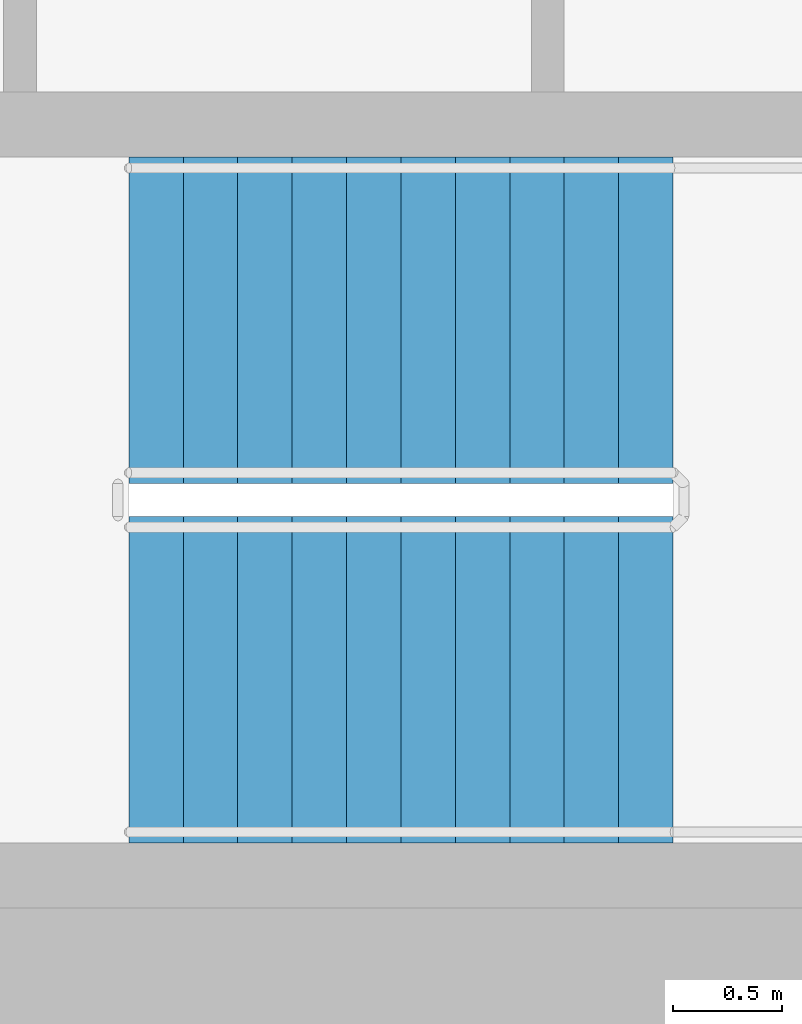
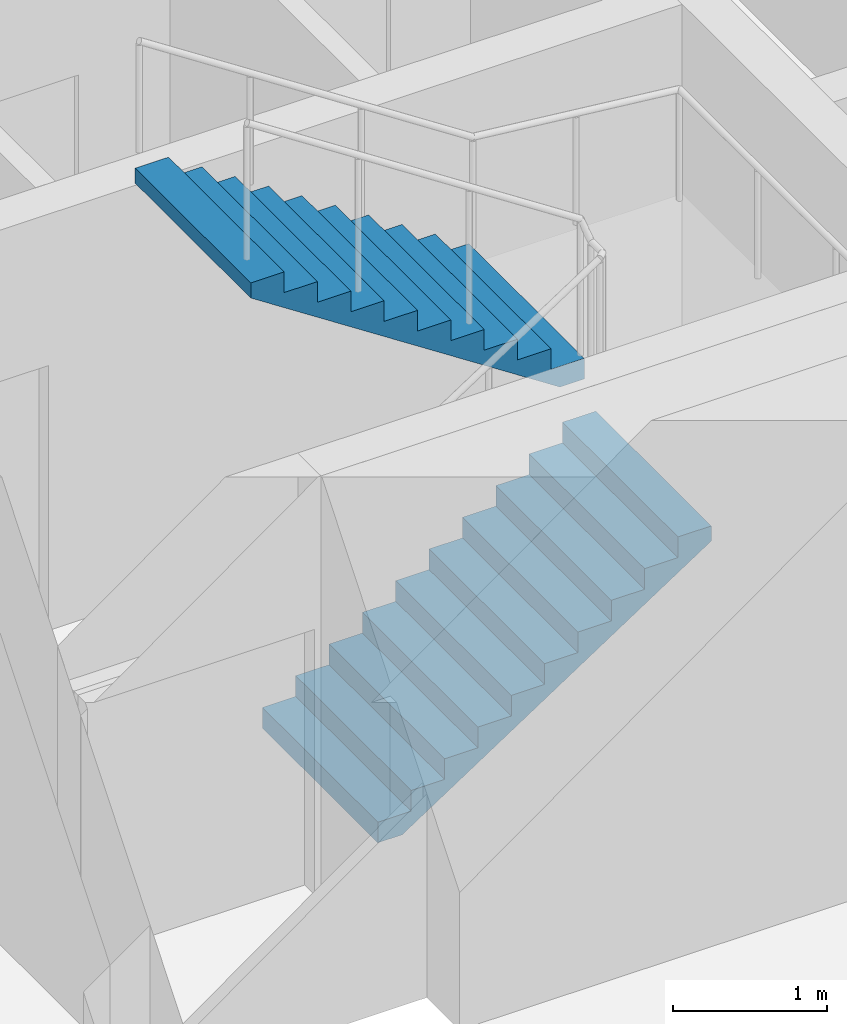
# One storey, part 8 of 9: 2 stair flights, 1 element without a shape of its own.
"""IFC4 building model written with IfcOpenShell, lengths in metres."""

from ifc_helpers import new_model, si_unit, direction, frame, origin, place, context, subcontext, project, spatial, polyline, outline, extrude, material, type_object, element, aggregate, save


model = new_model("IFC4")

# Units and contexts
model_context = context("Model", 3, precision=1e-05, world=origin(), true_north=direction((0.0, 1.0)))
body_context = subcontext(model_context, "Body", "Model", "MODEL_VIEW")
ifc_project = project(units=[si_unit("LENGTHUNIT", "METRE"), si_unit("AREAUNIT", "SQUARE_METRE"), si_unit("VOLUMEUNIT", "CUBIC_METRE"), si_unit("PLANEANGLEUNIT", "RADIAN"), si_unit("MASSUNIT", "GRAM", prefix="KILO")], contexts=[model_context])

# Site, building, storey
site_placement = place(None, origin())
site = spatial("IfcSite", under=ifc_project, at=site_placement, CompositionType="ELEMENT")
building_placement = place(site_placement, origin())
building = spatial("IfcBuilding", under=site, at=building_placement, Name="Tracery Tower", CompositionType="ELEMENT")
storey_placement = place(building_placement, frame((0.0, 0.0, 147.60009765625)))
storey = spatial("IfcBuildingStorey", under=building, at=storey_placement, Name="L37", CompositionType="ELEMENT", Elevation=147.60009765625)

# Stair, stair flights
ifc_material_1 = material(Name="Concrete C32/40", Category="concrete")
stair_type = type_object("IfcStairType", Name="Core stair 22 risers", PredefinedType="HALF_TURN_STAIR", material=ifc_material_1)
stair_placement = place(storey_placement, origin())
stair = element("IfcStair", 1, at=stair_placement, inside=storey, type_object=stair_type, Name="L37 stair ST2", PredefinedType="HALF_TURN_STAIR")
ifc_material_2 = material(Name="Concrete C32/40", Category="concrete")
stair_flight_type = type_object("IfcStairFlightType", Name="Core stair flight 11 risers", PredefinedType="STRAIGHT", material=ifc_material_2)
stair_flight_1_placement = place(storey_placement, frame((4.800048828125, -5.64990234375, 0.0), z_axis=(0.0, 0.0, 1.0), x_axis=(1.0, 0.0, 0.0)))
stair_flight_1 = element("IfcStairFlight", 2, at=stair_flight_1_placement, type_object=stair_flight_type, Name="ST2 flight 1", NumberOfRisers=11, NumberOfTreads=10, PredefinedType="STRAIGHT", RiserHeight=0.163636364, TreadLength=0.25, context=body_context, shape_type="SweptSolid", body=[
    extrude(outline(polyline([(0.0, 0.0), (0.0, 0.002685546875), (0.0, 0.00537109375), (0.0, 0.008056640625), (0.0, 0.0107421875), (0.0, 0.013427734375), (0.0, 0.01611328125), (0.0, 0.018798828125), (0.0, 0.021484375), (0.0, 0.024169921875), (0.0, 0.02685546875), (0.0, 0.029541015625), (0.0, 0.0322265625), (0.0, 0.034912109375), (0.0, 0.03759765625), (0.0, 0.040283203125), (0.0, 0.04296875), (0.0, 0.045654296875), (0.0, 0.04833984375), (0.0, 0.051025390625), (0.0, 0.0537109375), (0.0, 0.056396484375), (0.0, 0.05908203125), (0.0, 0.061767578125), (0.0, 0.064453125), (0.0, 0.067138671875), (0.0, 0.06982421875), (0.0, 0.072509765625), (0.0, 0.0751953125), (0.0, 0.077880859375), (0.0, 0.08056640625), (0.0, 0.083251953125), (0.0, 0.0859375), (0.0, 0.088623046875), (0.0, 0.09130859375), (0.0, 0.093994140625), (0.0, 0.0966796875), (0.0, 0.099365234375), (0.0, 0.10205078125), (0.0, 0.104736328125), (0.0, 0.107421875), (0.0, 0.10986328125), (0.0, 0.112548828125), (0.0, 0.115234375), (0.0, 0.117919921875), (0.0, 0.12060546875), (0.0, 0.123291015625), (0.0, 0.1259765625), (0.0, 0.128662109375), (0.0, 0.13134765625), (0.0, 0.134033203125), (0.0, 0.13671875), (0.0, 0.139404296875), (0.0, 0.14208984375), (0.0, 0.144775390625), (0.0, 0.1474609375), (0.0, 0.150146484375), (0.0, 0.15283203125), (0.0, 0.155517578125), (0.0, 0.158203125), (0.0, 0.160888671875), (0.0, 0.16357421875), (0.25, 0.16357421875), (0.25, 0.327392578125), (0.5, 0.327392578125), (0.5, 0.490966796875), (0.75, 0.490966796875), (0.75, 0.654541015625), (1.0, 0.654541015625), (1.0, 0.818115234375), (1.25, 0.818115234375), (1.25, 0.98193359375), (1.5, 0.98193359375), (1.5, 1.1455078125), (1.75, 1.1455078125), (1.75, 1.30908203125), (2.0, 1.30908203125), (2.0, 1.47265625), (2.25, 1.47265625), (2.25, 1.636474609375), (2.5, 1.636474609375), (2.5, 1.634521484375), (2.5, 1.63232421875), (2.5, 1.63037109375), (2.5, 1.62841796875), (2.5, 1.62646484375), (2.5, 1.62451171875), (2.5, 1.62255859375), (2.5, 1.62060546875), (2.5, 1.61865234375), (2.5, 1.61669921875), (2.5, 1.61474609375), (2.5, 1.61279296875), (2.5, 1.61083984375), (2.5, 1.60888671875), (2.5, 1.60693359375), (2.5, 1.60498046875), (2.5, 1.60302734375), (2.5, 1.60107421875), (2.5, 1.59912109375), (2.5, 1.59716796875), (2.5, 1.59521484375), (2.5, 1.59326171875), (2.5, 1.59130859375), (2.5, 1.58935546875), (2.5, 1.58740234375), (2.5, 1.58544921875), (2.5, 1.58349609375), (2.5, 1.58154296875), (2.5, 1.57958984375), (2.5, 1.57763671875), (2.5, 1.57568359375), (2.5, 1.573486328125), (2.5, 1.571533203125), (2.5, 1.569580078125), (2.5, 1.567626953125), (2.5, 1.565673828125), (2.5, 1.563720703125), (2.5, 1.561767578125), (2.5, 1.559814453125), (2.5, 1.557861328125), (2.5, 1.555908203125), (2.5, 1.553955078125), (2.5, 1.552001953125), (2.5, 1.550048828125), (2.5, 1.548095703125), (2.5, 1.546142578125), (2.5, 1.544189453125), (2.5, 1.542236328125), (2.5, 1.540283203125), (2.5, 1.538330078125), (2.5, 1.536376953125), (2.5, 1.534423828125), (2.5, 1.532470703125), (2.5, 1.530517578125), (2.5, 1.528564453125), (2.5, 1.526611328125), (2.5, 1.524658203125), (2.5, 1.522705078125), (2.5, 1.520751953125), (2.5, 1.518798828125), (2.5, 1.516845703125), (0.182861328125, 0.0), (0.0, 0.0)])), frame((0.0, 0.75, 0.0), z_axis=(0.0, -1.0, 0.0), x_axis=(1.0, 0.0, 0.0)), (0.0, 0.0, 1.0), 1.5),
])
stair_flight_2_placement = place(storey_placement, frame((7.300048828125, -4.0, 1.7998046875), z_axis=(0.0, 0.0, 1.0), x_axis=(-1.0, 0.0, 0.0)))
stair_flight_2 = element("IfcStairFlight", 3, at=stair_flight_2_placement, type_object=stair_flight_type, Name="ST2 flight 2", NumberOfRisers=11, NumberOfTreads=10, PredefinedType="STRAIGHT", RiserHeight=0.163636364, TreadLength=0.25, context=body_context, shape_type="SweptSolid", body=[
    extrude(outline(polyline([(0.0, 0.0), (0.0, 0.002685546875), (0.0, 0.00537109375), (0.0, 0.008056640625), (0.0, 0.0107421875), (0.0, 0.013427734375), (0.0, 0.01611328125), (0.0, 0.018798828125), (0.0, 0.021484375), (0.0, 0.024169921875), (0.0, 0.02685546875), (0.0, 0.029541015625), (0.0, 0.0322265625), (0.0, 0.034912109375), (0.0, 0.03759765625), (0.0, 0.040283203125), (0.0, 0.04296875), (0.0, 0.045654296875), (0.0, 0.04833984375), (0.0, 0.051025390625), (0.0, 0.0537109375), (0.0, 0.056396484375), (0.0, 0.05908203125), (0.0, 0.061767578125), (0.0, 0.064453125), (0.0, 0.067138671875), (0.0, 0.06982421875), (0.0, 0.072509765625), (0.0, 0.0751953125), (0.0, 0.077880859375), (0.0, 0.08056640625), (0.0, 0.083251953125), (0.0, 0.0859375), (0.0, 0.088623046875), (0.0, 0.09130859375), (0.0, 0.093994140625), (0.0, 0.0966796875), (0.0, 0.099365234375), (0.0, 0.10205078125), (0.0, 0.104736328125), (0.0, 0.107421875), (0.0, 0.10986328125), (0.0, 0.112548828125), (0.0, 0.115234375), (0.0, 0.117919921875), (0.0, 0.12060546875), (0.0, 0.123291015625), (0.0, 0.1259765625), (0.0, 0.128662109375), (0.0, 0.13134765625), (0.0, 0.134033203125), (0.0, 0.13671875), (0.0, 0.139404296875), (0.0, 0.14208984375), (0.0, 0.144775390625), (0.0, 0.1474609375), (0.0, 0.150146484375), (0.0, 0.15283203125), (0.0, 0.155517578125), (0.0, 0.158203125), (0.0, 0.160888671875), (0.0, 0.16357421875), (0.25, 0.16357421875), (0.25, 0.327392578125), (0.5, 0.327392578125), (0.5, 0.490966796875), (0.75, 0.490966796875), (0.75, 0.654541015625), (1.0, 0.654541015625), (1.0, 0.818115234375), (1.25, 0.818115234375), (1.25, 0.98193359375), (1.5, 0.98193359375), (1.5, 1.1455078125), (1.75, 1.1455078125), (1.75, 1.30908203125), (2.0, 1.30908203125), (2.0, 1.47265625), (2.25, 1.47265625), (2.25, 1.636474609375), (2.5, 1.636474609375), (2.5, 1.634521484375), (2.5, 1.63232421875), (2.5, 1.63037109375), (2.5, 1.62841796875), (2.5, 1.62646484375), (2.5, 1.62451171875), (2.5, 1.62255859375), (2.5, 1.62060546875), (2.5, 1.61865234375), (2.5, 1.61669921875), (2.5, 1.61474609375), (2.5, 1.61279296875), (2.5, 1.61083984375), (2.5, 1.60888671875), (2.5, 1.60693359375), (2.5, 1.60498046875), (2.5, 1.60302734375), (2.5, 1.60107421875), (2.5, 1.59912109375), (2.5, 1.59716796875), (2.5, 1.59521484375), (2.5, 1.59326171875), (2.5, 1.59130859375), (2.5, 1.58935546875), (2.5, 1.58740234375), (2.5, 1.58544921875), (2.5, 1.58349609375), (2.5, 1.58154296875), (2.5, 1.57958984375), (2.5, 1.57763671875), (2.5, 1.57568359375), (2.5, 1.573486328125), (2.5, 1.571533203125), (2.5, 1.569580078125), (2.5, 1.567626953125), (2.5, 1.565673828125), (2.5, 1.563720703125), (2.5, 1.561767578125), (2.5, 1.559814453125), (2.5, 1.557861328125), (2.5, 1.555908203125), (2.5, 1.553955078125), (2.5, 1.552001953125), (2.5, 1.550048828125), (2.5, 1.548095703125), (2.5, 1.546142578125), (2.5, 1.544189453125), (2.5, 1.542236328125), (2.5, 1.540283203125), (2.5, 1.538330078125), (2.5, 1.536376953125), (2.5, 1.534423828125), (2.5, 1.532470703125), (2.5, 1.530517578125), (2.5, 1.528564453125), (2.5, 1.526611328125), (2.5, 1.524658203125), (2.5, 1.522705078125), (2.5, 1.520751953125), (2.5, 1.518798828125), (2.5, 1.516845703125), (0.182861328125, 0.0), (0.0, 0.0)])), frame((0.0, 0.75, 0.0), z_axis=(0.0, -1.0, 0.0), x_axis=(1.0, 0.0, 0.0)), (0.0, 0.0, 1.0), 1.5),
])
aggregate(stair, [stair_flight_1, stair_flight_2])

save(model, "model.ifc")
